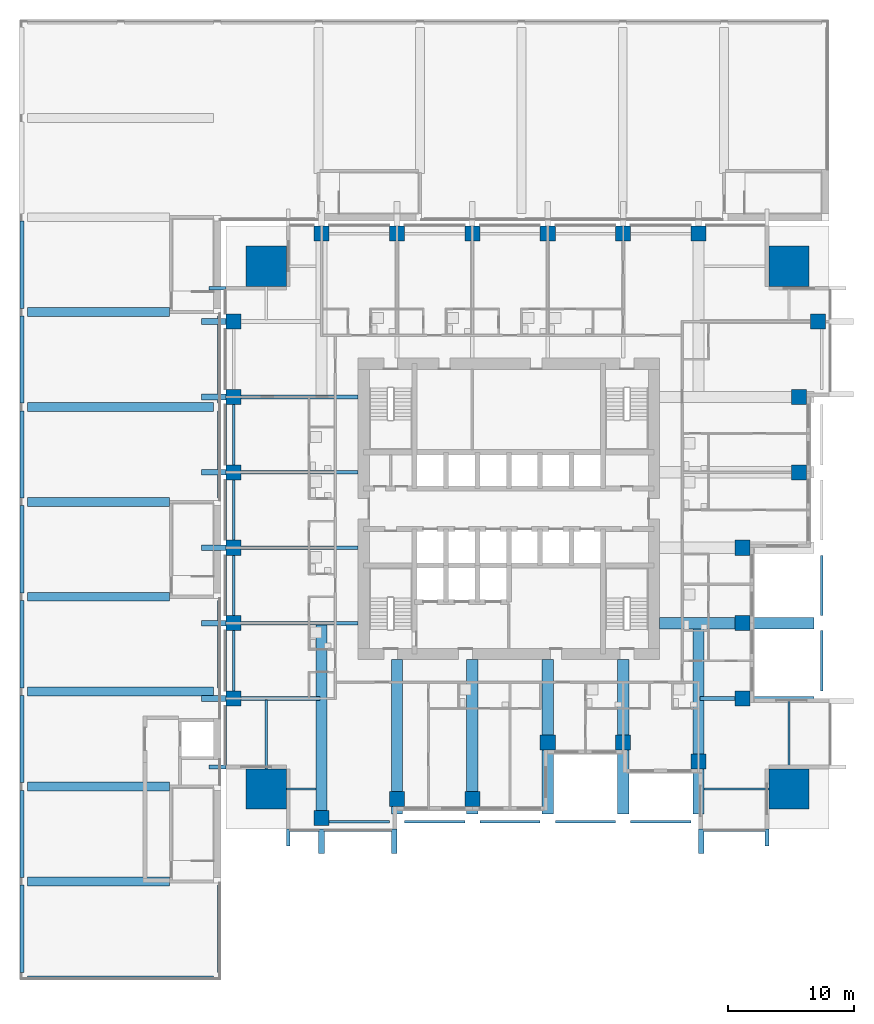
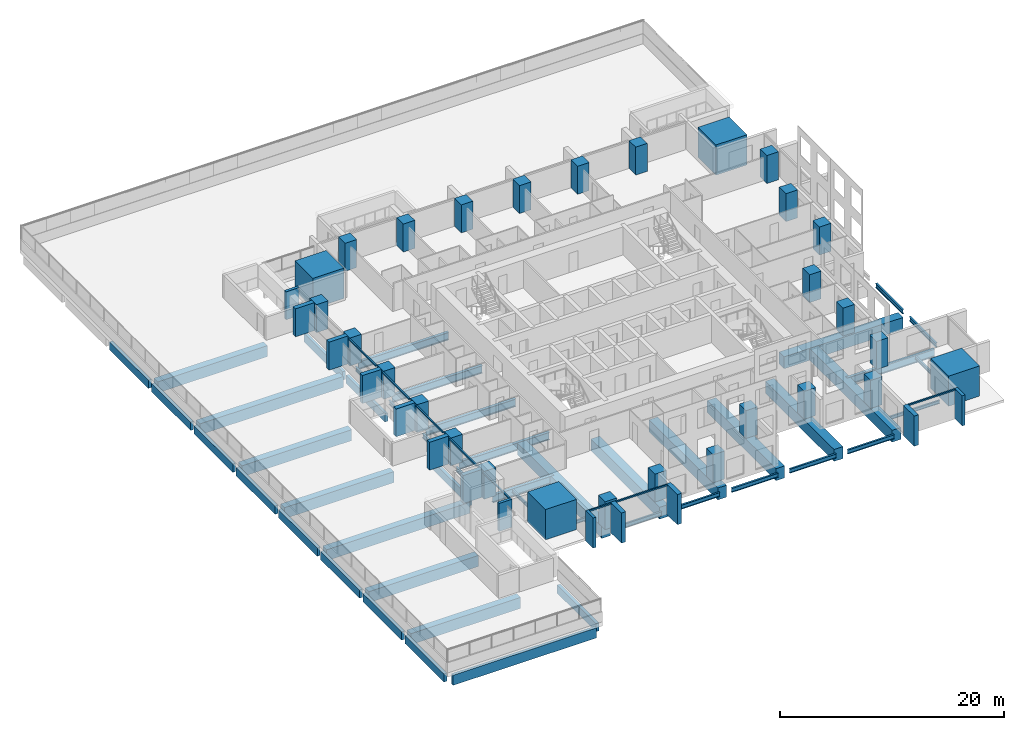
# One storey, part 1 of 15: 48 beams, 28 columns, 21 members, 3 elements without a shape of their own.
"""IFC4 building model written with IfcOpenShell, lengths in metres."""

from ifc_helpers import new_model, si_unit, direction, frame, origin, origin_2d, place, context, subcontext, project, spatial, rectangle, i_section, extrude, material, material_profile, profile_set, type_object, element, aggregate, save


model = new_model("IFC4")

# Units and contexts
model_context = context("Model", 3, precision=1e-05, world=origin(), true_north=direction((0.0, 1.0)))
body_context = subcontext(model_context, "Body", "Model", "MODEL_VIEW")
ifc_project = project(units=[si_unit("LENGTHUNIT", "METRE"), si_unit("AREAUNIT", "SQUARE_METRE"), si_unit("VOLUMEUNIT", "CUBIC_METRE"), si_unit("PLANEANGLEUNIT", "RADIAN"), si_unit("MASSUNIT", "GRAM", prefix="KILO")], contexts=[model_context])

# Site, building, storey
site_placement = place(None, origin())
site = spatial("IfcSite", under=ifc_project, at=site_placement, CompositionType="ELEMENT")
building_placement = place(site_placement, origin())
building = spatial("IfcBuilding", under=site, at=building_placement, Name="Amberfall Residences", CompositionType="ELEMENT")
storey_placement = place(building_placement, frame((0.0, 0.0, 23.5)))
storey = spatial("IfcBuildingStorey", under=building, at=storey_placement, Name="L05", CompositionType="ELEMENT", Elevation=23.5)

# Columns
ifc_material_1 = material(Name="Concrete C80", Category="concrete")
ifc_material_profile_1 = material_profile(ifc_material_1, rectangle(XDim=1.199951171875, YDim=1.199951171875, at=origin_2d()), Name="Column 1200 x 1200 C80")
ifc_profile_set_1 = profile_set([ifc_material_profile_1], Name="Concrete C80")
column_type_1 = type_object("IfcColumnType", Name="Column 1200 x 1200 C80", PredefinedType="COLUMN", material=ifc_profile_set_1)
for number, where, z_axis, x_axis, name in (
    (1, (59.60009765625, 20.89990234375, 0.0), (0.0, 0.0, 1.0), (1.0, 0.0, 0.0), "Column C1 L05 S1"),
    (2, (65.60009765625, 22.39990234375, 0.0), (0.0, 0.0, 1.0), (1.0, 0.0, 0.0), "Column C1 L05 S2"),
    (3, (71.60009765625, 22.39990234375, 0.0), (0.0, 0.0, 1.0), (1.0, 0.0, 0.0), "Column C1 L05 S3"),
    (4, (77.60009765625, 26.89990234375, 0.0), (0.0, 0.0, 1.0), (1.0, 0.0, 0.0), "Column C1 L05 S4"),
    (5, (83.60009765625, 26.89990234375, 0.0), (0.0, 0.0, 1.0), (1.0, 0.0, 0.0), "Column C1 L05 S5"),
    (6, (89.60009765625, 25.39990234375, 0.0), (0.0, 0.0, 1.0), (1.0, 0.0, 0.0), "Column C1 L05 S6"),
    (7, (93.10009765625, 30.39990234375, 0.0), (0.0, 0.0, 1.0), (1.0, 0.0, 0.0), "Column C1 L05 E1"),
    (8, (93.10009765625, 36.39990234375, 0.0), (0.0, 0.0, 1.0), (1.0, 0.0, 0.0), "Column C1 L05 E2"),
    (9, (93.10009765625, 42.39990234375, 0.0), (0.0, 0.0, 1.0), (1.0, 0.0, 0.0), "Column C1 L05 E3"),
    (10, (97.60009765625, 48.39990234375, 0.0), (0.0, 0.0, 1.0), (1.0, 0.0, 0.0), "Column C1 L05 E4"),
    (11, (97.60009765625, 54.39990234375, 0.0), (0.0, 0.0, 1.0), (1.0, 0.0, 0.0), "Column C1 L05 E5"),
    (12, (99.10009765625, 60.39990234375, 0.0), (0.0, 0.0, 1.0), (1.0, 0.0, 0.0), "Column C1 L05 E6"),
    (13, (59.60009765625, 67.39990234375, 0.0), (0.0, 0.0, 1.0), (1.0, 0.0, 0.0), "Column C1 L05 N1"),
    (14, (65.60009765625, 67.39990234375, 0.0), (0.0, 0.0, 1.0), (1.0, 0.0, 0.0), "Column C1 L05 N2"),
    (15, (71.60009765625, 67.39990234375, 0.0), (0.0, 0.0, 1.0), (1.0, 0.0, 0.0), "Column C1 L05 N3"),
    (16, (77.60009765625, 67.39990234375, 0.0), (0.0, 0.0, 1.0), (1.0, 0.0, 0.0), "Column C1 L05 N4"),
    (17, (83.60009765625, 67.39990234375, 0.0), (0.0, 0.0, 1.0), (1.0, 0.0, 0.0), "Column C1 L05 N5"),
    (18, (89.60009765625, 67.39990234375, 0.0), (0.0, 0.0, 1.0), (1.0, 0.0, 0.0), "Column C1 L05 N6"),
    (19, (52.60009765625, 30.39990234375, 0.0), (0.0, 0.0, 1.0), (1.0, 0.0, 0.0), "Column C1 L05 W1"),
    (20, (52.60009765625, 36.39990234375, 0.0), (0.0, 0.0, 1.0), (1.0, 0.0, 0.0), "Column C1 L05 W2"),
    (21, (52.60009765625, 42.39990234375, 0.0), (0.0, 0.0, 1.0), (1.0, 0.0, 0.0), "Column C1 L05 W3"),
    (22, (52.60009765625, 48.39990234375, 0.0), (0.0, 0.0, 1.0), (1.0, 0.0, 0.0), "Column C1 L05 W4"),
    (23, (52.60009765625, 54.39990234375, 0.0), (0.0, 0.0, 1.0), (1.0, 0.0, 0.0), "Column C1 L05 W5"),
    (24, (52.60009765625, 60.39990234375, 0.0), (0.0, 0.0, 1.0), (1.0, 0.0, 0.0), "Column C1 L05 W6"),
):
    element("IfcColumn", number, at=place(storey_placement, frame(where, z_axis=z_axis, x_axis=x_axis)), inside=storey, type_object=column_type_1, Name=name, PredefinedType="COLUMN", context=body_context, shape_type="SweptSolid", body=[
        extrude(rectangle(XDim=1.199951171875, YDim=1.199951171875, at=origin_2d()), origin(), (0.0, 0.0, 1.0), 3.050048828125),
    ])
ifc_material_profile_2 = material_profile(ifc_material_1, rectangle(XDim=3.199951171875, YDim=3.199951171875, at=origin_2d()), Name="Mega column 3200 x 3200 C80")
ifc_profile_set_2 = profile_set([ifc_material_profile_2], Name="Concrete C80")
column_type_2 = type_object("IfcColumnType", Name="Mega column 3200 x 3200 C80", PredefinedType="COLUMN", material=ifc_profile_set_2)
for number, where, z_axis, x_axis, name in (
    (25, (55.199951171875, 23.199951171875, 0.0), (0.0, 0.0, 1.0), (1.0, 0.0, 0.0), "Mega column MC1 L05 SW"),
    (26, (96.800048828125, 23.199951171875, 0.0), (0.0, 0.0, 1.0), (1.0, 0.0, 0.0), "Mega column MC1 L05 SE"),
    (27, (96.800048828125, 64.800048828125, 0.0), (0.0, 0.0, 1.0), (1.0, 0.0, 0.0), "Mega column MC1 L05 NE"),
    (28, (55.199951171875, 64.800048828125, 0.0), (0.0, 0.0, 1.0), (1.0, 0.0, 0.0), "Mega column MC1 L05 NW"),
):
    element("IfcColumn", number, at=place(storey_placement, frame(where, z_axis=z_axis, x_axis=x_axis)), inside=storey, type_object=column_type_2, Name=name, PredefinedType="COLUMN", context=body_context, shape_type="SweptSolid", body=[
        extrude(rectangle(XDim=3.199951171875, YDim=3.199951171875, at=origin_2d()), origin(), (0.0, 0.0, 1.0), 3.300048828125),
    ])

# Curtain wall, members
ifc_material_2 = material(Name="Bronze anodised aluminium and glass", Category="aluminium")
curtain_wall_type = type_object("IfcCurtainWallType", Name="Curtain wall CW1 tower unit", PredefinedType="USERDEFINED", material=ifc_material_2)
curtain_wall_1_placement = place(storey_placement, origin())
curtain_wall_1 = element("IfcCurtainWall", 29, at=curtain_wall_1_placement, inside=storey, type_object=curtain_wall_type, Name="Curtain wall L05 S S1", ObjectType="UNITISED CURTAIN WALL", PredefinedType="USERDEFINED")
ifc_material_3 = material(Name="Bronze anodised aluminium", Category="aluminium")
ifc_material_profile_3 = material_profile(ifc_material_3, rectangle(XDim=0.14990234375, YDim=0.14990234375, at=origin_2d()), Name="CW1 transom 150 x 150 bronze")
ifc_profile_set_3 = profile_set([ifc_material_profile_3], Name="Bronze anodised aluminium")
member_type_1 = type_object("IfcMemberType", Name="CW1 transom 150 x 150 bronze", PredefinedType="USERDEFINED", material=ifc_profile_set_3)
member_1_placement = place(storey_placement, frame((57.10009765625, 19.925048828125, 2.97509765625), z_axis=(1.0, 0.0, 0.0), x_axis=(0.0, 1.0, 0.0)))
member_1 = element("IfcMember", 30, at=member_1_placement, type_object=member_type_1, Name="CW1 transom 1.1", ObjectType="TRANSOM", PredefinedType="USERDEFINED", context=body_context, shape_type="SweptSolid", body=[
    extrude(rectangle(XDim=0.14990234375, YDim=0.14990234375, at=origin_2d()), origin(), (0.0, 0.0, 1.0), 2.27490234375),
])
member_2_placement = place(storey_placement, frame((59.824951171875, 19.925048828125, 2.97509765625), z_axis=(1.0, 0.0, 0.0), x_axis=(0.0, 1.0, 0.0)))
member_2 = element("IfcMember", 31, at=member_2_placement, type_object=member_type_1, Name="CW1 transom 2.1", ObjectType="TRANSOM", PredefinedType="USERDEFINED", context=body_context, shape_type="SweptSolid", body=[
    extrude(rectangle(XDim=0.14990234375, YDim=0.14990234375, at=origin_2d()), origin(), (0.0, 0.0, 1.0), 5.324951171875),
])

# Curtain wall, member
curtain_wall_2_placement = place(storey_placement, origin())
curtain_wall_2 = element("IfcCurtainWall", 32, at=curtain_wall_2_placement, inside=storey, type_object=curtain_wall_type, Name="Curtain wall L05 S S10", ObjectType="UNITISED CURTAIN WALL", PredefinedType="USERDEFINED")
member_3_placement = place(storey_placement, frame((90.050048828125, 19.925048828125, 2.97509765625), z_axis=(1.0, 0.0, 0.0), x_axis=(0.0, 1.0, 0.0)))
member_3 = element("IfcMember", 33, at=member_3_placement, type_object=member_type_1, Name="CW1 transom 1.1", ObjectType="TRANSOM", PredefinedType="USERDEFINED", context=body_context, shape_type="SweptSolid", body=[
    extrude(rectangle(XDim=0.14990234375, YDim=0.14990234375, at=origin_2d()), origin(), (0.0, 0.0, 1.0), 4.849853515625),
])

# Curtain wall, members
curtain_wall_3_placement = place(storey_placement, origin())
curtain_wall_3 = element("IfcCurtainWall", 34, at=curtain_wall_3_placement, inside=storey, type_object=curtain_wall_type, Name="Curtain wall L05 W W1", ObjectType="UNITISED CURTAIN WALL", PredefinedType="USERDEFINED")
member_4_placement = place(storey_placement, frame((51.925048828125, 53.794921875, 2.97509765625), z_axis=(0.0, -1.0, 0.0), x_axis=(1.0, 0.0, 0.0)))
member_4 = element("IfcMember", 35, at=member_4_placement, type_object=member_type_1, Name="CW1 transom 3.1", ObjectType="TRANSOM", PredefinedType="USERDEFINED", context=body_context, shape_type="SweptSolid", body=[
    extrude(rectangle(XDim=0.14990234375, YDim=0.14990234375, at=origin_2d()), origin(), (0.0, 0.0, 1.0), 4.7900390625),
])
member_5_placement = place(storey_placement, frame((51.925048828125, 47.794921875, 2.97509765625), z_axis=(0.0, -1.0, 0.0), x_axis=(1.0, 0.0, 0.0)))
member_5 = element("IfcMember", 36, at=member_5_placement, type_object=member_type_1, Name="CW1 transom 4.1", ObjectType="TRANSOM", PredefinedType="USERDEFINED", context=body_context, shape_type="SweptSolid", body=[
    extrude(rectangle(XDim=0.14990234375, YDim=0.14990234375, at=origin_2d()), origin(), (0.0, 0.0, 1.0), 4.7900390625),
])
member_6_placement = place(storey_placement, frame((51.925048828125, 41.794921875, 2.97509765625), z_axis=(0.0, -1.0, 0.0), x_axis=(1.0, 0.0, 0.0)))
member_6 = element("IfcMember", 37, at=member_6_placement, type_object=member_type_1, Name="CW1 transom 5.1", ObjectType="TRANSOM", PredefinedType="USERDEFINED", context=body_context, shape_type="SweptSolid", body=[
    extrude(rectangle(XDim=0.14990234375, YDim=0.14990234375, at=origin_2d()), origin(), (0.0, 0.0, 1.0), 4.7900390625),
])
member_7_placement = place(storey_placement, frame((51.925048828125, 35.794921875, 2.97509765625), z_axis=(0.0, -1.0, 0.0), x_axis=(1.0, 0.0, 0.0)))
member_7 = element("IfcMember", 38, at=member_7_placement, type_object=member_type_1, Name="CW1 transom 6.1", ObjectType="TRANSOM", PredefinedType="USERDEFINED", context=body_context, shape_type="SweptSolid", body=[
    extrude(rectangle(XDim=0.14990234375, YDim=0.14990234375, at=origin_2d()), origin(), (0.0, 0.0, 1.0), 4.7900390625),
])
member_8_placement = place(storey_placement, frame((51.925048828125, 29.794921875, 2.97509765625), z_axis=(0.0, -1.0, 0.0), x_axis=(1.0, 0.0, 0.0)))
member_8 = element("IfcMember", 39, at=member_8_placement, type_object=member_type_1, Name="CW1 transom 7.1", ObjectType="TRANSOM", PredefinedType="USERDEFINED", context=body_context, shape_type="SweptSolid", body=[
    extrude(rectangle(XDim=0.14990234375, YDim=0.14990234375, at=origin_2d()), origin(), (0.0, 0.0, 1.0), 4.69482421875),
])

# Member
ifc_material_profile_4 = material_profile(ifc_material_3, rectangle(XDim=1.35009765625, YDim=0.300048828125, at=origin_2d()), Name="Corner fin 300 x 1350 bronze")
ifc_profile_set_4 = profile_set([ifc_material_profile_4], Name="Bronze anodised aluminium")
member_type_2 = type_object("IfcMemberType", Name="Corner fin 300 x 1350 bronze", PredefinedType="MULLION", material=ifc_profile_set_4)
member_9_placement = place(storey_placement, frame((56.949951171875, 19.324951171875, -0.25), z_axis=(0.0, 0.0, 1.0), x_axis=(0.0, 1.0, 0.0)))
member_9 = element("IfcMember", 40, at=member_9_placement, type_object=member_type_2, Name="CW FIN 1", PredefinedType="MULLION", context=body_context, shape_type="SweptSolid", body=[
    extrude(rectangle(XDim=1.35009765625, YDim=0.300048828125, at=origin_2d()), origin(), (0.0, 0.0, 1.0), 3.300048828125),
])

member_10_placement = place(storey_placement, frame((95.050048828125, 19.324951171875, -0.25), z_axis=(0.0, 0.0, 1.0), x_axis=(0.0, 1.0, 0.0)))
member_10 = element("IfcMember", 41, at=member_10_placement, type_object=member_type_2, Name="CW FIN 2", PredefinedType="MULLION", context=body_context, shape_type="SweptSolid", body=[
    extrude(rectangle(XDim=1.35009765625, YDim=0.300048828125, at=origin_2d()), origin(), (0.0, 0.0, 1.0), 3.300048828125),
])

member_11_placement = place(storey_placement, frame((51.324951171875, 63.050048828125, 0.0), z_axis=(0.0, 0.0, 1.0), x_axis=(1.0, 0.0, 0.0)))
member_11 = element("IfcMember", 42, at=member_11_placement, type_object=member_type_2, Name="CW FIN 1", PredefinedType="MULLION", context=body_context, shape_type="SweptSolid", body=[
    extrude(rectangle(XDim=1.35009765625, YDim=0.300048828125, at=origin_2d()), origin(), (0.0, 0.0, 1.0), 3.050048828125),
])

member_12_placement = place(storey_placement, frame((51.324951171875, 24.949951171875, 0.0), z_axis=(0.0, 0.0, 1.0), x_axis=(1.0, 0.0, 0.0)))
member_12 = element("IfcMember", 43, at=member_12_placement, type_object=member_type_2, Name="CW FIN 8", PredefinedType="MULLION", context=body_context, shape_type="SweptSolid", body=[
    extrude(rectangle(XDim=1.35009765625, YDim=0.300048828125, at=origin_2d()), origin(), (0.0, 0.0, 1.0), 3.050048828125),
])

# Beams
ifc_material_4 = material(Name="Steel S355", Category="steel")
ifc_material_profile_5 = material_profile(ifc_material_4, i_section(OverallWidth=0.18994140625, OverallDepth=0.453369140625, WebThickness=0.008544921875, FlangeThickness=0.0126953125, FilletRadius=0.01025390625, at=origin_2d()), Name="UB 457x191x67")
ifc_profile_set_5 = profile_set([ifc_material_profile_5], Name="Steel S355")
beam_type_1 = type_object("IfcBeamType", Name="Edge beam UB 457x191x67", PredefinedType="SPANDREL", material=ifc_profile_set_5)
for number, where, z_axis, x_axis, name in (
    (44, (60.199951171875, 20.60009765625, -0.476806640625), (1.0, 0.0, 0.0), (0.0, 1.0, 0.0), "Edge beam B1 L05 01"),
    (45, (66.199951171875, 20.60009765625, -0.476806640625), (1.0, 0.0, 0.0), (0.0, 1.0, 0.0), "Edge beam B1 L05 02"),
    (46, (72.199951171875, 20.60009765625, -0.476806640625), (1.0, 0.0, 0.0), (0.0, 1.0, 0.0), "Edge beam B1 L05 03"),
    (47, (78.199951171875, 20.60009765625, -0.476806640625), (1.0, 0.0, 0.0), (0.0, 1.0, 0.0), "Edge beam B1 L05 04"),
    (48, (84.199951171875, 20.60009765625, -0.476806640625), (1.0, 0.0, 0.0), (0.0, 1.0, 0.0), "Edge beam B1 L05 05"),
    (49, (99.39990234375, 31.0, -0.476806640625), (0.0, 1.0, 0.0), (-1.0, 0.0, 0.0), "Edge beam B1 L05 12"),
    (50, (99.39990234375, 37.0, -0.476806640625), (0.0, 1.0, 0.0), (-1.0, 0.0, 0.0), "Edge beam B1 L05 13"),
    (51, (52.60009765625, 31.0, -0.476806640625), (0.0, 1.0, 0.0), (-1.0, 0.0, 0.0), "Edge beam B1 L05 34"),
    (52, (52.60009765625, 37.0, -0.476806640625), (0.0, 1.0, 0.0), (-1.0, 0.0, 0.0), "Edge beam B1 L05 35"),
    (53, (52.60009765625, 43.0, -0.476806640625), (0.0, 1.0, 0.0), (-1.0, 0.0, 0.0), "Edge beam B1 L05 36"),
    (54, (52.60009765625, 49.0, -0.476806640625), (0.0, 1.0, 0.0), (-1.0, 0.0, 0.0), "Edge beam B1 L05 37"),
):
    element("IfcBeam", number, at=place(storey_placement, frame(where, z_axis=z_axis, x_axis=x_axis)), inside=storey, type_object=beam_type_1, Name=name, PredefinedType="SPANDREL", context=body_context, shape_type="SweptSolid", body=[
        extrude(i_section(OverallWidth=0.18994140625, OverallDepth=0.453369140625, WebThickness=0.008544921875, FlangeThickness=0.0126953125, FilletRadius=0.01025390625, at=origin_2d()), origin(), (0.0, 0.0, 1.0), 4.800048828125),
    ])

# Member
ifc_material_profile_6 = material_profile(ifc_material_3, rectangle(XDim=1.949951171875, YDim=0.449951171875, at=origin_2d()), Name="Fin 450 x 1950 bronze")
ifc_profile_set_6 = profile_set([ifc_material_profile_6], Name="Bronze anodised aluminium")
member_type_3 = type_object("IfcMemberType", Name="Fin 450 x 1950 bronze", PredefinedType="MULLION", material=ifc_profile_set_6)
member_13_placement = place(storey_placement, frame((59.60009765625, 19.02490234375, -0.25), z_axis=(0.0, 0.0, 1.0), x_axis=(0.0, 1.0, 0.0)))
member_13 = element("IfcMember", 55, at=member_13_placement, type_object=member_type_3, Name="CW FIN 2", PredefinedType="MULLION", context=body_context, shape_type="SweptSolid", body=[
    extrude(rectangle(XDim=1.949951171875, YDim=0.449951171875, at=origin_2d()), origin(), (0.0, 0.0, 1.0), 3.300048828125),
])

member_14_placement = place(storey_placement, frame((65.375, 19.02490234375, -0.25), z_axis=(0.0, 0.0, 1.0), x_axis=(0.0, 1.0, 0.0)))
member_14 = element("IfcMember", 56, at=member_14_placement, type_object=member_type_3, Name="CW FIN 3", PredefinedType="MULLION", context=body_context, shape_type="SweptSolid", body=[
    extrude(rectangle(XDim=1.949951171875, YDim=0.449951171875, at=origin_2d()), origin(), (0.0, 0.0, 1.0), 3.300048828125),
])

aggregate(curtain_wall_1, [member_9, member_13, member_14, member_1, member_2])

member_15_placement = place(storey_placement, frame((89.824951171875, 19.02490234375, -0.25), z_axis=(0.0, 0.0, 1.0), x_axis=(0.0, 1.0, 0.0)))
member_15 = element("IfcMember", 57, at=member_15_placement, type_object=member_type_3, Name="CW FIN 1", PredefinedType="MULLION", context=body_context, shape_type="SweptSolid", body=[
    extrude(rectangle(XDim=1.949951171875, YDim=0.449951171875, at=origin_2d()), origin(), (0.0, 0.0, 1.0), 3.300048828125),
])

aggregate(curtain_wall_2, [member_15, member_10, member_3])

member_16_placement = place(storey_placement, frame((51.02490234375, 60.39990234375, 0.0), z_axis=(0.0, 0.0, 1.0), x_axis=(1.0, 0.0, 0.0)))
member_16 = element("IfcMember", 58, at=member_16_placement, type_object=member_type_3, Name="CW FIN 2", PredefinedType="MULLION", context=body_context, shape_type="SweptSolid", body=[
    extrude(rectangle(XDim=1.949951171875, YDim=0.449951171875, at=origin_2d()), origin(), (0.0, 0.0, 1.0), 3.050048828125),
])

member_17_placement = place(storey_placement, frame((51.02490234375, 54.39990234375, 0.0), z_axis=(0.0, 0.0, 1.0), x_axis=(1.0, 0.0, 0.0)))
member_17 = element("IfcMember", 59, at=member_17_placement, type_object=member_type_3, Name="CW FIN 3", PredefinedType="MULLION", context=body_context, shape_type="SweptSolid", body=[
    extrude(rectangle(XDim=1.949951171875, YDim=0.449951171875, at=origin_2d()), origin(), (0.0, 0.0, 1.0), 3.050048828125),
])

member_18_placement = place(storey_placement, frame((51.02490234375, 48.39990234375, 0.0), z_axis=(0.0, 0.0, 1.0), x_axis=(1.0, 0.0, 0.0)))
member_18 = element("IfcMember", 60, at=member_18_placement, type_object=member_type_3, Name="CW FIN 4", PredefinedType="MULLION", context=body_context, shape_type="SweptSolid", body=[
    extrude(rectangle(XDim=1.949951171875, YDim=0.449951171875, at=origin_2d()), origin(), (0.0, 0.0, 1.0), 3.050048828125),
])

member_19_placement = place(storey_placement, frame((51.02490234375, 42.39990234375, 0.0), z_axis=(0.0, 0.0, 1.0), x_axis=(1.0, 0.0, 0.0)))
member_19 = element("IfcMember", 61, at=member_19_placement, type_object=member_type_3, Name="CW FIN 5", PredefinedType="MULLION", context=body_context, shape_type="SweptSolid", body=[
    extrude(rectangle(XDim=1.949951171875, YDim=0.449951171875, at=origin_2d()), origin(), (0.0, 0.0, 1.0), 3.050048828125),
])

member_20_placement = place(storey_placement, frame((51.02490234375, 36.39990234375, 0.0), z_axis=(0.0, 0.0, 1.0), x_axis=(1.0, 0.0, 0.0)))
member_20 = element("IfcMember", 62, at=member_20_placement, type_object=member_type_3, Name="CW FIN 6", PredefinedType="MULLION", context=body_context, shape_type="SweptSolid", body=[
    extrude(rectangle(XDim=1.949951171875, YDim=0.449951171875, at=origin_2d()), origin(), (0.0, 0.0, 1.0), 3.050048828125),
])

member_21_placement = place(storey_placement, frame((51.02490234375, 30.39990234375, 0.0), z_axis=(0.0, 0.0, 1.0), x_axis=(1.0, 0.0, 0.0)))
member_21 = element("IfcMember", 63, at=member_21_placement, type_object=member_type_3, Name="CW FIN 7", PredefinedType="MULLION", context=body_context, shape_type="SweptSolid", body=[
    extrude(rectangle(XDim=1.949951171875, YDim=0.449951171875, at=origin_2d()), origin(), (0.0, 0.0, 1.0), 3.050048828125),
])

aggregate(curtain_wall_3, [member_11, member_16, member_17, member_18, member_19, member_20, member_21, member_12, member_4, member_5, member_6, member_7, member_8])

# Beams
ifc_material_profile_7 = material_profile(ifc_material_4, i_section(OverallWidth=0.171142578125, OverallDepth=0.351318359375, WebThickness=0.007080078125, FlangeThickness=0.009765625, FilletRadius=0.01025390625, at=origin_2d()), Name="UB 356x171x45")
ifc_profile_set_7 = profile_set([ifc_material_profile_7], Name="Steel S355")
beam_type_2 = type_object("IfcBeamType", Name="Link beam UB 356x171x45", PredefinedType="BEAM", material=ifc_profile_set_7)
beam_1_placement = place(storey_placement, frame((56.800048828125, 23.199951171875, -0.42578125), z_axis=(1.0, 0.0, 0.0), x_axis=(0.0, 1.0, 0.0)))
element("IfcBeam", 64, at=beam_1_placement, inside=storey, type_object=beam_type_2, Name="Link beam B7 L05 45", PredefinedType="BEAM", context=body_context, shape_type="SweptSolid", body=[
    extrude(i_section(OverallWidth=0.171142578125, OverallDepth=0.351318359375, WebThickness=0.007080078125, FlangeThickness=0.009765625, FilletRadius=0.01025390625, at=origin_2d()), origin(), (0.0, 0.0, 1.0), 2.35986328125),
])
beam_2_placement = place(storey_placement, frame((55.199951171875, 24.800048828125, -0.42578125), z_axis=(0.0, 1.0, 0.0), x_axis=(-1.0, 0.0, 0.0)))
element("IfcBeam", 65, at=beam_2_placement, inside=storey, type_object=beam_type_2, Name="Link beam B7 L05 46", PredefinedType="BEAM", context=body_context, shape_type="SweptSolid", body=[
    extrude(i_section(OverallWidth=0.171142578125, OverallDepth=0.351318359375, WebThickness=0.007080078125, FlangeThickness=0.009765625, FilletRadius=0.01025390625, at=origin_2d()), origin(), (0.0, 0.0, 1.0), 5.464111328125),
])
beam_3_placement = place(storey_placement, frame((95.199951171875, 23.199951171875, -0.42578125), z_axis=(-1.0, 0.0, 0.0), x_axis=(0.0, -1.0, 0.0)))
element("IfcBeam", 66, at=beam_3_placement, inside=storey, type_object=beam_type_2, Name="Link beam B7 L05 47", PredefinedType="BEAM", context=body_context, shape_type="SweptSolid", body=[
    extrude(i_section(OverallWidth=0.171142578125, OverallDepth=0.351318359375, WebThickness=0.007080078125, FlangeThickness=0.009765625, FilletRadius=0.01025390625, at=origin_2d()), origin(), (0.0, 0.0, 1.0), 5.159912109375),
])
beam_4_placement = place(storey_placement, frame((96.800048828125, 24.800048828125, -0.42578125), z_axis=(0.0, 1.0, 0.0), x_axis=(-1.0, 0.0, 0.0)))
element("IfcBeam", 67, at=beam_4_placement, inside=storey, type_object=beam_type_2, Name="Link beam B7 L05 48", PredefinedType="BEAM", context=body_context, shape_type="SweptSolid", body=[
    extrude(i_section(OverallWidth=0.171142578125, OverallDepth=0.351318359375, WebThickness=0.007080078125, FlangeThickness=0.009765625, FilletRadius=0.01025390625, at=origin_2d()), origin(), (0.0, 0.0, 1.0), 5.464111328125),
])
ifc_material_5 = material(Name="Concrete C40", Category="concrete")
ifc_material_profile_8 = material_profile(ifc_material_5, rectangle(XDim=0.699951171875, YDim=1.199951171875, at=origin_2d()), Name="School beam 700 x 1200 C40")
ifc_profile_set_8 = profile_set([ifc_material_profile_8], Name="Concrete C40")
beam_type_3 = type_object("IfcBeamType", Name="School beam 700 x 1200 C40", PredefinedType="BEAM", material=ifc_profile_set_8)
for number, where, z_axis, x_axis, name in (
    (68, (36.199951171875, 15.85009765625, -1.050048828125), (1.0, 0.0, 0.0), (0.0, 1.0, 0.0), "TW1"),
    (69, (36.199951171875, 23.39990234375, -1.050048828125), (1.0, 0.0, 0.0), (0.0, 1.0, 0.0), "TW2"),
):
    element("IfcBeam", number, at=place(storey_placement, frame(where, z_axis=z_axis, x_axis=x_axis)), inside=storey, type_object=beam_type_3, Name=name, PredefinedType="BEAM", context=body_context, shape_type="SweptSolid", body=[
        extrude(rectangle(XDim=0.699951171875, YDim=1.199951171875, at=origin_2d()), origin(), (0.0, 0.0, 1.0), 11.300048828125),
    ])
beam_5_placement = place(storey_placement, frame((36.199951171875, 30.949951171875, -1.050048828125), z_axis=(1.0, 0.0, 0.0), x_axis=(0.0, 1.0, 0.0)))
element("IfcBeam", 70, at=beam_5_placement, inside=storey, type_object=beam_type_3, Name="TW3", PredefinedType="BEAM", context=body_context, shape_type="SweptSolid", body=[
    extrude(rectangle(XDim=0.699951171875, YDim=1.199951171875, at=origin_2d()), origin(), (0.0, 0.0, 1.0), 14.800048828125),
])
for number, where, z_axis, x_axis, name in (
    (71, (36.199951171875, 38.5, -1.050048828125), (1.0, 0.0, 0.0), (0.0, 1.0, 0.0), "TW4"),
    (72, (36.199951171875, 46.050048828125, -1.050048828125), (1.0, 0.0, 0.0), (0.0, 1.0, 0.0), "TW5"),
):
    element("IfcBeam", number, at=place(storey_placement, frame(where, z_axis=z_axis, x_axis=x_axis)), inside=storey, type_object=beam_type_3, Name=name, PredefinedType="BEAM", context=body_context, shape_type="SweptSolid", body=[
        extrude(rectangle(XDim=0.699951171875, YDim=1.199951171875, at=origin_2d()), origin(), (0.0, 0.0, 1.0), 11.300048828125),
    ])
beam_6_placement = place(storey_placement, frame((36.199951171875, 53.60009765625, -1.050048828125), z_axis=(1.0, 0.0, 0.0), x_axis=(0.0, 1.0, 0.0)))
element("IfcBeam", 73, at=beam_6_placement, inside=storey, type_object=beam_type_3, Name="TW6", PredefinedType="BEAM", context=body_context, shape_type="SweptSolid", body=[
    extrude(rectangle(XDim=0.699951171875, YDim=1.199951171875, at=origin_2d()), origin(), (0.0, 0.0, 1.0), 14.800048828125),
])
beam_7_placement = place(storey_placement, frame((36.199951171875, 61.14990234375, -1.050048828125), z_axis=(1.0, 0.0, 0.0), x_axis=(0.0, 1.0, 0.0)))
element("IfcBeam", 74, at=beam_7_placement, inside=storey, type_object=beam_type_3, Name="TW7", PredefinedType="BEAM", context=body_context, shape_type="SweptSolid", body=[
    extrude(rectangle(XDim=0.699951171875, YDim=1.199951171875, at=origin_2d()), origin(), (0.0, 0.0, 1.0), 11.300048828125),
])
ifc_material_profile_9 = material_profile(ifc_material_5, rectangle(XDim=0.300048828125, YDim=0.89990234375, at=origin_2d()), Name="School edge beam 300 x 900 C40")
ifc_profile_set_9 = profile_set([ifc_material_profile_9], Name="Concrete C40")
beam_type_4 = type_object("IfcBeamType", Name="School edge beam 300 x 900 C40", PredefinedType="BEAM", material=ifc_profile_set_9)
beam_8_placement = place(storey_placement, frame((35.75, 8.60009765625, -0.89990234375), z_axis=(0.0, 1.0, 0.0), x_axis=(-1.0, 0.0, 0.0)))
element("IfcBeam", 75, at=beam_8_placement, inside=storey, type_object=beam_type_4, Name="GW0", PredefinedType="BEAM", context=body_context, shape_type="SweptSolid", body=[
    extrude(rectangle(XDim=0.300048828125, YDim=0.89990234375, at=origin_2d()), origin(), (0.0, 0.0, 1.0), 6.949951171875),
])
beam_9_placement = place(storey_placement, frame((35.75, 16.14990234375, -0.89990234375), z_axis=(0.0, 1.0, 0.0), x_axis=(-1.0, 0.0, 0.0)))
element("IfcBeam", 76, at=beam_9_placement, inside=storey, type_object=beam_type_4, Name="GW1", PredefinedType="BEAM", context=body_context, shape_type="SweptSolid", body=[
    extrude(rectangle(XDim=0.300048828125, YDim=0.89990234375, at=origin_2d()), origin(), (0.0, 0.0, 1.0), 6.9501953125),
])
for number, where, z_axis, x_axis, name in (
    (77, (35.75, 23.699951171875, -0.89990234375), (0.0, 1.0, 0.0), (-1.0, 0.0, 0.0), "GW2"),
    (78, (35.75, 31.25, -0.89990234375), (0.0, 1.0, 0.0), (-1.0, 0.0, 0.0), "GW3"),
    (79, (35.75, 38.800048828125, -0.89990234375), (0.0, 1.0, 0.0), (-1.0, 0.0, 0.0), "GW4"),
    (80, (35.75, 46.35009765625, -0.89990234375), (0.0, 1.0, 0.0), (-1.0, 0.0, 0.0), "GW5"),
):
    element("IfcBeam", number, at=place(storey_placement, frame(where, z_axis=z_axis, x_axis=x_axis)), inside=storey, type_object=beam_type_4, Name=name, PredefinedType="BEAM", context=body_context, shape_type="SweptSolid", body=[
        extrude(rectangle(XDim=0.300048828125, YDim=0.89990234375, at=origin_2d()), origin(), (0.0, 0.0, 1.0), 6.949951171875),
    ])
beam_10_placement = place(storey_placement, frame((35.75, 53.89990234375, -0.89990234375), z_axis=(0.0, 1.0, 0.0), x_axis=(-1.0, 0.0, 0.0)))
element("IfcBeam", 81, at=beam_10_placement, inside=storey, type_object=beam_type_4, Name="GW6", PredefinedType="BEAM", context=body_context, shape_type="SweptSolid", body=[
    extrude(rectangle(XDim=0.300048828125, YDim=0.89990234375, at=origin_2d()), origin(), (0.0, 0.0, 1.0), 6.9501953125),
])
for number, where, z_axis, x_axis, name in (
    (82, (35.75, 61.449951171875, -0.89990234375), (0.0, 1.0, 0.0), (-1.0, 0.0, 0.0), "GW7"),
    (83, (51.449951171875, 8.60009765625, -0.89990234375), (0.0, 1.0, 0.0), (-1.0, 0.0, 0.0), "GE0"),
    (84, (51.449951171875, 31.25, -0.89990234375), (0.0, 1.0, 0.0), (-1.0, 0.0, 0.0), "GE3"),
    (85, (51.449951171875, 46.35009765625, -0.89990234375), (0.0, 1.0, 0.0), (-1.0, 0.0, 0.0), "GE5"),
):
    element("IfcBeam", number, at=place(storey_placement, frame(where, z_axis=z_axis, x_axis=x_axis)), inside=storey, type_object=beam_type_4, Name=name, PredefinedType="BEAM", context=body_context, shape_type="SweptSolid", body=[
        extrude(rectangle(XDim=0.300048828125, YDim=0.89990234375, at=origin_2d()), origin(), (0.0, 0.0, 1.0), 6.949951171875),
    ])
beam_11_placement = place(storey_placement, frame((51.449951171875, 53.89990234375, -0.89990234375), z_axis=(0.0, 1.0, 0.0), x_axis=(-1.0, 0.0, 0.0)))
element("IfcBeam", 86, at=beam_11_placement, inside=storey, type_object=beam_type_4, Name="GE6", PredefinedType="BEAM", context=body_context, shape_type="SweptSolid", body=[
    extrude(rectangle(XDim=0.300048828125, YDim=0.89990234375, at=origin_2d()), origin(), (0.0, 0.0, 1.0), 6.9501953125),
])
ifc_material_profile_10 = material_profile(ifc_material_5, rectangle(XDim=0.300048828125, YDim=1.10009765625, at=origin_2d()), Name="School end beam 300 x 1100 C40")
ifc_profile_set_10 = profile_set([ifc_material_profile_10], Name="Concrete C40")
beam_type_5 = type_object("IfcBeamType", Name="School end beam 300 x 1100 C40", PredefinedType="BEAM", material=ifc_profile_set_10)
beam_12_placement = place(storey_placement, frame((36.199951171875, 8.14990234375, -1.0), z_axis=(1.0, 0.0, 0.0), x_axis=(0.0, 1.0, 0.0)))
element("IfcBeam", 87, at=beam_12_placement, inside=storey, type_object=beam_type_5, Name="ES", PredefinedType="BEAM", context=body_context, shape_type="SweptSolid", body=[
    extrude(rectangle(XDim=0.300048828125, YDim=1.10009765625, at=origin_2d()), origin(), (0.0, 0.0, 1.0), 14.800048828125),
])
ifc_material_6 = material(Name="Concrete C60", Category="concrete")
ifc_material_profile_11 = material_profile(ifc_material_6, rectangle(XDim=0.89990234375, YDim=1.300048828125, at=origin_2d()), Name="Transfer girder 900 x 1300 C60")
ifc_profile_set_11 = profile_set([ifc_material_profile_11], Name="Concrete C60")
beam_type_6 = type_object("IfcBeamType", Name="Transfer girder 900 x 1300 C60", PredefinedType="BEAM", material=ifc_profile_set_11)
beam_13_placement = place(storey_placement, frame((59.60009765625, 21.199951171875, -0.903076171875), z_axis=(0.0, 1.0, 0.0), x_axis=(-1.0, 0.0, 0.0)))
element("IfcBeam", 88, at=beam_13_placement, inside=storey, type_object=beam_type_6, Name="Transfer girder B5 L05 06", PredefinedType="BEAM", context=body_context, shape_type="SweptSolid", body=[
    extrude(rectangle(XDim=0.89990234375, YDim=1.300048828125, at=origin_2d()), origin(), (0.0, 0.0, 1.0), 15.059326171875),
])
for number, where, z_axis, x_axis, name in (
    (89, (65.60009765625, 21.199951171875, -0.89990234375), (0.0, 1.0, 0.0), (-1.0, 0.0, 0.0), "Transfer girder B5 L05 07"),
    (90, (71.60009765625, 21.199951171875, -0.89990234375), (0.0, 1.0, 0.0), (-1.0, 0.0, 0.0), "Transfer girder B5 L05 08"),
    (91, (77.60009765625, 21.199951171875, -0.89990234375), (0.0, 1.0, 0.0), (-1.0, 0.0, 0.0), "Transfer girder B5 L05 09"),
    (92, (83.60009765625, 21.199951171875, -0.89990234375), (0.0, 1.0, 0.0), (-1.0, 0.0, 0.0), "Transfer girder B5 L05 10"),
):
    element("IfcBeam", number, at=place(storey_placement, frame(where, z_axis=z_axis, x_axis=x_axis)), inside=storey, type_object=beam_type_6, Name=name, PredefinedType="BEAM", context=body_context, shape_type="SweptSolid", body=[
        extrude(rectangle(XDim=0.89990234375, YDim=1.300048828125, at=origin_2d()), origin(), (0.0, 0.0, 1.0), 12.300048828125),
    ])
beam_14_placement = place(storey_placement, frame((89.60009765625, 21.199951171875, -0.903076171875), z_axis=(0.0, 1.0, 0.0), x_axis=(-1.0, 0.0, 0.0)))
element("IfcBeam", 93, at=beam_14_placement, inside=storey, type_object=beam_type_6, Name="Transfer girder B5 L05 11", PredefinedType="BEAM", context=body_context, shape_type="SweptSolid", body=[
    extrude(rectangle(XDim=0.89990234375, YDim=1.300048828125, at=origin_2d()), origin(), (0.0, 0.0, 1.0), 14.755126953125),
])
beam_15_placement = place(storey_placement, frame((98.800048828125, 36.39990234375, -0.906005859375), z_axis=(-1.0, 0.0, 0.0), x_axis=(0.0, -1.0, 0.0)))
element("IfcBeam", 94, at=beam_15_placement, inside=storey, type_object=beam_type_6, Name="Transfer girder B5 L05 18", PredefinedType="BEAM", context=body_context, shape_type="SweptSolid", body=[
    extrude(rectangle(XDim=0.89990234375, YDim=1.300048828125, at=origin_2d()), origin(), (0.0, 0.0, 1.0), 12.300048828125),
])
ifc_material_profile_12 = material_profile(ifc_material_4, i_section(OverallWidth=0.29150390625, OverallDepth=0.8349609375, WebThickness=0.013916015625, FlangeThickness=0.018798828125, FilletRadius=0.017822265625, at=origin_2d()), Name="UB 838x292x176")
ifc_profile_set_12 = profile_set([ifc_material_profile_12], Name="Steel S355")
beam_type_7 = type_object("IfcBeamType", Name="Transfer girder UB 838x292x176", PredefinedType="BEAM", material=ifc_profile_set_12)
beam_16_placement = place(storey_placement, frame((98.800048828125, 30.39990234375, -0.66748046875), z_axis=(-1.0, 0.0, 0.0), x_axis=(0.0, -1.0, 0.0)))
element("IfcBeam", 95, at=beam_16_placement, inside=storey, type_object=beam_type_7, Name="Transfer girder B6 L05 17", PredefinedType="BEAM", context=body_context, shape_type="SweptSolid", body=[
    extrude(i_section(OverallWidth=0.29150390625, OverallDepth=0.8349609375, WebThickness=0.013916015625, FlangeThickness=0.018798828125, FilletRadius=0.017822265625, at=origin_2d()), origin(), (0.0, 0.0, 1.0), 9.080078125),
])
beam_17_placement = place(storey_placement, frame((53.199951171875, 30.39990234375, -0.66748046875), z_axis=(1.0, 0.0, 0.0), x_axis=(0.0, 1.0, 0.0)))
element("IfcBeam", 96, at=beam_17_placement, inside=storey, type_object=beam_type_7, Name="Transfer girder B6 L05 39", PredefinedType="BEAM", context=body_context, shape_type="SweptSolid", body=[
    extrude(i_section(OverallWidth=0.29150390625, OverallDepth=0.8349609375, WebThickness=0.013916015625, FlangeThickness=0.018798828125, FilletRadius=0.017822265625, at=origin_2d()), origin(), (0.0, 0.0, 1.0), 6.280029296875),
])
for number, where, z_axis, x_axis, name in (
    (97, (53.199951171875, 36.39990234375, -0.67333984375), (1.0, 0.0, 0.0), (0.0, 1.0, 0.0), "Transfer girder B6 L05 40"),
    (98, (53.199951171875, 42.39990234375, -0.66748046875), (1.0, 0.0, 0.0), (0.0, 1.0, 0.0), "Transfer girder B6 L05 41"),
    (99, (53.199951171875, 48.39990234375, -0.66748046875), (1.0, 0.0, 0.0), (0.0, 1.0, 0.0), "Transfer girder B6 L05 42"),
    (100, (53.199951171875, 54.39990234375, -0.67333984375), (1.0, 0.0, 0.0), (0.0, 1.0, 0.0), "Transfer girder B6 L05 43"),
):
    element("IfcBeam", number, at=place(storey_placement, frame(where, z_axis=z_axis, x_axis=x_axis)), inside=storey, type_object=beam_type_7, Name=name, PredefinedType="BEAM", context=body_context, shape_type="SweptSolid", body=[
        extrude(i_section(OverallWidth=0.29150390625, OverallDepth=0.8349609375, WebThickness=0.013916015625, FlangeThickness=0.018798828125, FilletRadius=0.017822265625, at=origin_2d()), origin(), (0.0, 0.0, 1.0), 9.300048828125),
    ])

save(model, "model.ifc")
